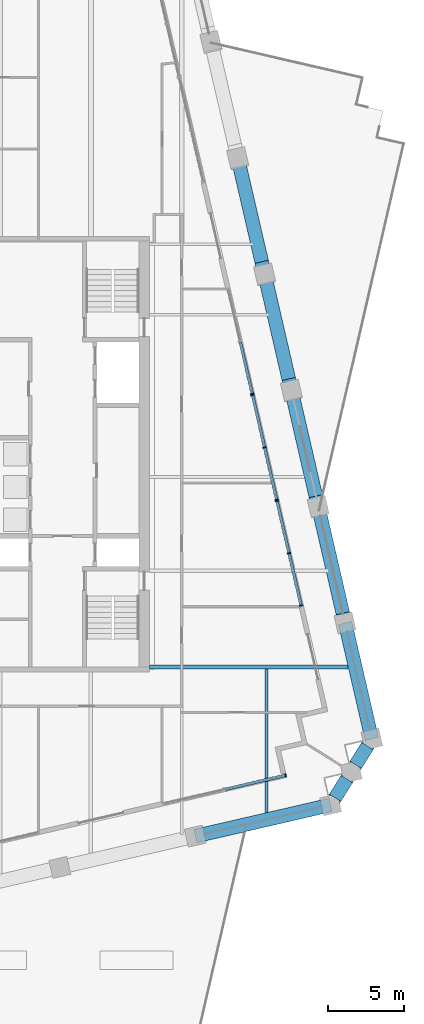
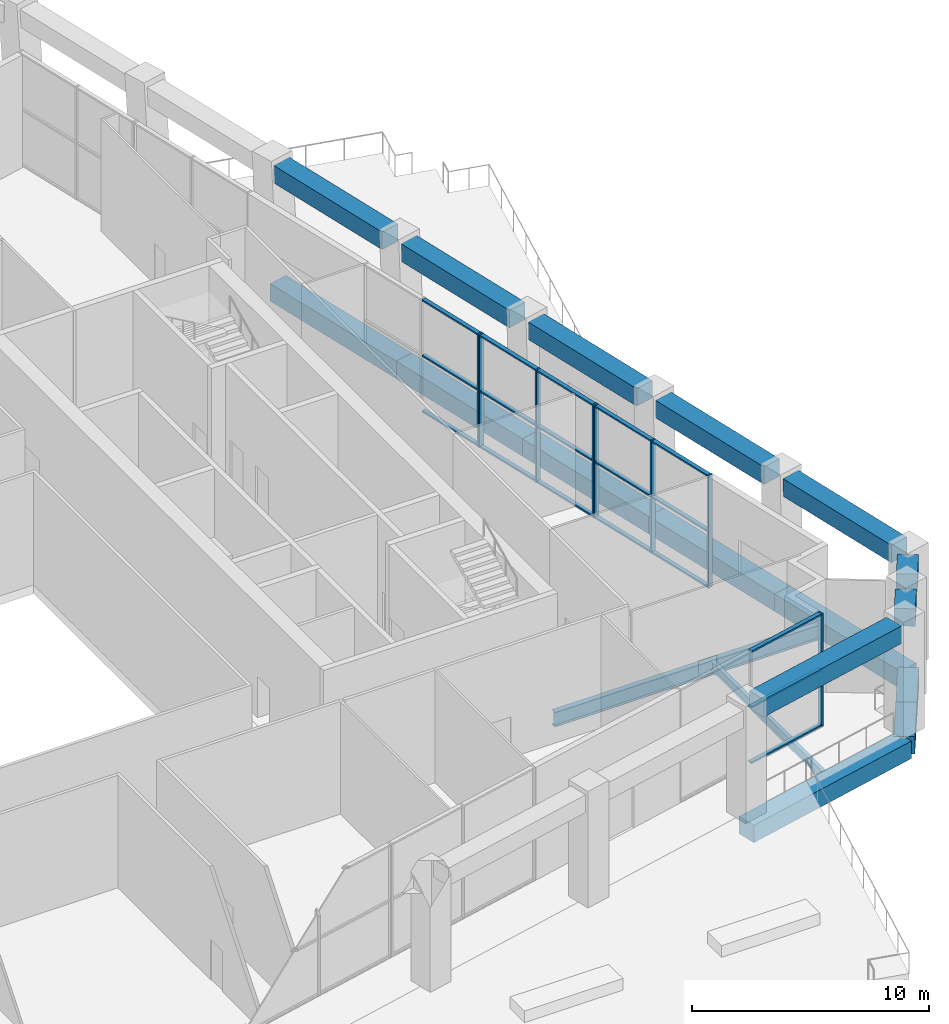
# One storey, part 7 of 24: 26 members, 18 beams, 4 elements without a shape of their own.
"""IFC4 building model written with IfcOpenShell, lengths in metres."""

from ifc_helpers import new_model, si_unit, direction, frame, origin, origin_2d, place, context, subcontext, project, spatial, rectangle, i_section, extrude, material, material_profile, profile_set, type_object, element, aggregate, save


model = new_model("IFC4")

# Units and contexts
model_context = context("Model", 3, precision=1e-05, world=origin(), true_north=direction((0.0, 1.0)))
body_context = subcontext(model_context, "Body", "Model", "MODEL_VIEW")
ifc_project = project(units=[si_unit("LENGTHUNIT", "METRE"), si_unit("AREAUNIT", "SQUARE_METRE"), si_unit("VOLUMEUNIT", "CUBIC_METRE"), si_unit("PLANEANGLEUNIT", "RADIAN"), si_unit("MASSUNIT", "GRAM", prefix="KILO")], contexts=[model_context])

# Site, building, storey
site_placement = place(None, origin())
site = spatial("IfcSite", under=ifc_project, at=site_placement, CompositionType="ELEMENT")
building_placement = place(site_placement, origin())
building = spatial("IfcBuilding", under=site, at=building_placement, Name="Ogive Exchange Tower", CompositionType="ELEMENT")
storey_placement = place(building_placement, frame((0.0, 0.0, 165.60009765625)))
storey = spatial("IfcBuildingStorey", under=building, at=storey_placement, Name="L36", CompositionType="ELEMENT", Elevation=165.60009765625)

# Beams
ifc_material_1 = material(Name="Steel ASTM A992 Gr50", Category="steel")
ifc_material_profile_1 = material_profile(ifc_material_1, i_section(OverallWidth=0.19091796875, OverallDepth=0.45703125, WebThickness=0.009033203125, FlangeThickness=0.014404296875, at=origin_2d()), Name="W460x74")
ifc_profile_set_1 = profile_set([ifc_material_profile_1], Name="Steel ASTM A992 Gr50")
beam_type_1 = type_object("IfcBeamType", Name="Floor beam W460x74", PredefinedType="JOIST", material=ifc_profile_set_1)
beam_1_placement = place(storey_placement, frame((29.35791015625, -11.97314453125, -0.6787109375), z_axis=(0.0, 1.0, 0.0), x_axis=(-1.0, 0.0, 0.0)))
element("IfcBeam", 1, at=beam_1_placement, inside=storey, type_object=beam_type_1, Name="Floor beam", PredefinedType="JOIST", context=body_context, shape_type="SweptSolid", body=[
    extrude(i_section(OverallWidth=0.19091796875, OverallDepth=0.45703125, WebThickness=0.009033203125, FlangeThickness=0.014404296875, at=origin_2d()), origin(), (0.0, 0.0, 1.0), 9.39453125),
])
ifc_material_profile_2 = material_profile(ifc_material_1, i_section(OverallWidth=0.26708984375, OverallDepth=0.75390625, WebThickness=0.01318359375, FlangeThickness=0.01708984375, at=origin_2d()), Name="W760x147")
ifc_profile_set_2 = profile_set([ifc_material_profile_2], Name="Steel ASTM A992 Gr50")
beam_type_2 = type_object("IfcBeamType", Name="Girder W760x147", PredefinedType="BEAM", material=ifc_profile_set_2)
beam_2_placement = place(storey_placement, frame((21.679931640625, -2.445068359375, -0.8271484375), z_axis=(1.0, 0.0, 0.0), x_axis=(0.0, 1.0, 0.0)))
element("IfcBeam", 2, at=beam_2_placement, inside=storey, type_object=beam_type_2, Name="Header girder", PredefinedType="BEAM", context=body_context, shape_type="SweptSolid", body=[
    extrude(i_section(OverallWidth=0.26708984375, OverallDepth=0.75390625, WebThickness=0.01318359375, FlangeThickness=0.01708984375, at=origin_2d()), origin(), (0.0, 0.0, 1.0), 13.021484375),
])
ifc_material_2 = material(Name="Precast concrete C70/85 (limestone faced)", Category="masonry")
ifc_material_profile_3 = material_profile(ifc_material_2, rectangle(XDim=0.89990234375, YDim=0.89990234375, at=origin_2d()), Name="900 x 900")
ifc_profile_set_3 = profile_set([ifc_material_profile_3], Name="Precast concrete C70/85 (limestone faced)")
beam_type_3 = type_object("IfcBeamType", Name="Precast spandrel 900 x 900 C70/85", PredefinedType="SPANDREL", material=ifc_profile_set_3)
beam_3_placement = place(storey_placement, frame((25.249755859375, -13.383544921875, 5.2998046875), z_axis=(0.974368388194, 0.224958316335, 0.0), x_axis=(-0.224958316335, 0.974368388194, 0.0)))
element("IfcBeam", 3, at=beam_3_placement, inside=storey, type_object=beam_type_3, Name="Spandrel 6", PredefinedType="SPANDREL", context=body_context, shape_type="SweptSolid", body=[
    extrude(rectangle(XDim=0.89990234375, YDim=0.89990234375, at=origin_2d()), origin(), (0.0, 0.0, 1.0), 7.93994140625),
])
for number, where, z_axis, x_axis, name in (
    (4, (33.842041015625, -11.001708984375, 5.2998046875), (0.529877740036, 0.848074041941, 0.0), (-0.848074041941, 0.529877740036, 0.0), "Spandrel 7"),
    (5, (35.19091796875, -8.843017578125, 5.2998046875), (0.529877740036, 0.848074041941, 0.0), (-0.848074041941, 0.529877740036, 0.0), "Spandrel 8"),
):
    element("IfcBeam", number, at=place(storey_placement, frame(where, z_axis=z_axis, x_axis=x_axis)), inside=storey, type_object=beam_type_3, Name=name, PredefinedType="SPANDREL", context=body_context, shape_type="SweptSolid", body=[
        extrude(rectangle(XDim=0.89990234375, YDim=0.89990234375, at=origin_2d()), origin(), (0.0, 0.0, 1.0), 1.448486328125),
    ])
for number, where, z_axis, x_axis, name in (
    (6, (36.11865234375, -6.584228515625, 5.2998046875), (-0.224933887862, 0.974374027821, 0.0), (-0.974374027821, -0.224933887862, 0.0), "Spandrel 9"),
    (7, (34.347900390625, 1.086181640625, 5.2998046875), (-0.224968420637, 0.974366055298, 0.0), (-0.974366055298, -0.224968420637, 0.0), "Spandrel 10"),
    (8, (32.5771484375, 8.75634765625, 5.2998046875), (-0.224968420637, 0.974366055298, 0.0), (-0.974366055298, -0.224968420637, 0.0), "Spandrel 11"),
    (9, (30.806396484375, 16.426513671875, 5.2998046875), (-0.224968420637, 0.974366055298, 0.0), (-0.974366055298, -0.224968420637, 0.0), "Spandrel 12"),
    (10, (29.035400390625, 24.096923828125, 5.2998046875), (-0.224933887862, 0.974374027821, 0.0), (-0.974374027821, -0.224933887862, 0.0), "Spandrel 13"),
):
    element("IfcBeam", number, at=place(storey_placement, frame(where, z_axis=z_axis, x_axis=x_axis)), inside=storey, type_object=beam_type_3, Name=name, PredefinedType="SPANDREL", context=body_context, shape_type="SweptSolid", body=[
        extrude(rectangle(XDim=0.89990234375, YDim=0.89990234375, at=origin_2d()), origin(), (0.0, 0.0, 1.0), 6.712158203125),
    ])
ifc_material_profile_4 = material_profile(ifc_material_2, rectangle(XDim=0.89990234375, YDim=0.89990234375, at=origin_2d()), Name="900 x 900")
ifc_profile_set_4 = profile_set([ifc_material_profile_4], Name="Precast concrete C70/85 (limestone faced)")
beam_type_4 = type_object("IfcBeamType", Name="Precast transfer girder 900 x 900 C70/85", PredefinedType="BEAM", material=ifc_profile_set_4)
beam_4_placement = place(storey_placement, frame((24.6845703125, -13.513916015625, -0.900146484375), z_axis=(0.974368129866, 0.224959435237, 0.0), x_axis=(-0.224959435237, 0.974368129866, 0.0)))
element("IfcBeam", 11, at=beam_4_placement, inside=storey, type_object=beam_type_4, Name="Transfer girder 6", PredefinedType="BEAM", context=body_context, shape_type="SweptSolid", body=[
    extrude(rectangle(XDim=0.89990234375, YDim=0.89990234375, at=origin_2d()), origin(), (0.0, 0.0, 1.0), 9.099853515625),
])
beam_5_placement = place(storey_placement, frame((33.55126953125, -11.466796875, -0.900146484375), z_axis=(0.529912724405, 0.848052182659, 0.0), x_axis=(-0.848052182659, 0.529912724405, 0.0)))
element("IfcBeam", 12, at=beam_5_placement, inside=storey, type_object=beam_type_4, Name="Transfer girder 7", PredefinedType="BEAM", context=body_context, shape_type="SweptSolid", body=[
    extrude(rectangle(XDim=0.89990234375, YDim=0.89990234375, at=origin_2d()), origin(), (0.0, 0.0, 1.0), 2.54541015625),
])
beam_6_placement = place(storey_placement, frame((34.900146484375, -9.30810546875, -0.900146484375), z_axis=(0.529981698198, 0.848009079889, 0.0), x_axis=(-0.848009079889, 0.529981698198, 0.0)))
element("IfcBeam", 13, at=beam_6_placement, inside=storey, type_object=beam_type_4, Name="Transfer girder 8", PredefinedType="BEAM", context=body_context, shape_type="SweptSolid", body=[
    extrude(rectangle(XDim=0.89990234375, YDim=0.89990234375, at=origin_2d()), origin(), (0.0, 0.0, 1.0), 2.545654296875),
])
for number, where, z_axis, x_axis, name in (
    (14, (36.249267578125, -7.1494140625, -0.900146484375), (-0.22495322987, 0.974369562523, 0.0), (-0.974369562523, -0.22495322987, 0.0), "Transfer girder 9"),
    (15, (34.49462890625, 0.45068359375, -0.900146484375), (-0.22495322987, 0.974369562523, 0.0), (-0.974369562523, -0.22495322987, 0.0), "Transfer girder 10"),
    (16, (32.739990234375, 8.05078125, -0.900146484375), (-0.22495322987, 0.974369562523, 0.0), (-0.974369562523, -0.22495322987, 0.0), "Transfer girder 11"),
    (17, (30.9853515625, 15.65087890625, -0.900146484375), (-0.22495322987, 0.974369562523, 0.0), (-0.974369562523, -0.22495322987, 0.0), "Transfer girder 12"),
    (18, (29.230712890625, 23.2509765625, -0.900146484375), (-0.22495322987, 0.974369562523, 0.0), (-0.974369562523, -0.22495322987, 0.0), "Transfer girder 13"),
):
    element("IfcBeam", number, at=place(storey_placement, frame(where, z_axis=z_axis, x_axis=x_axis)), inside=storey, type_object=beam_type_4, Name=name, PredefinedType="BEAM", context=body_context, shape_type="SweptSolid", body=[
        extrude(rectangle(XDim=0.89990234375, YDim=0.89990234375, at=origin_2d()), origin(), (0.0, 0.0, 1.0), 7.800048828125),
    ])

# Curtain wall, member
ifc_material_3 = material(Name="Anodised aluminium and clear glass", Category="aluminium")
curtain_wall_type = type_object("IfcCurtainWallType", Name="Winter garden glazing", PredefinedType="NOTDEFINED", material=ifc_material_3)
curtain_wall_1_placement = place(storey_placement, origin())
curtain_wall_1 = element("IfcCurtainWall", 19, at=curtain_wall_1_placement, inside=storey, type_object=curtain_wall_type, Name="Winter garden glazing run G6", PredefinedType="NOTDEFINED")
ifc_material_4 = material(Name="Anodised aluminium", Category="aluminium")
ifc_material_profile_5 = material_profile(ifc_material_4, rectangle(XDim=0.239990234375, YDim=0.080078125, at=origin_2d()), Name="AL 80x240")
ifc_profile_set_5 = profile_set([ifc_material_profile_5], Name="Anodised aluminium")
member_type_1 = type_object("IfcMemberType", Name="Winter garden glazing mullion 80 x 240", PredefinedType="MULLION", material=ifc_profile_set_5)
member_1_placement = place(storey_placement, frame((30.600341796875, -9.531005859375, 0.0), z_axis=(0.0, 0.0, 1.0), x_axis=(-0.224951017509, 0.974370073289, 0.0)))
member_1 = element("IfcMember", 20, at=member_1_placement, type_object=member_type_1, Name="G6 mullion 3", PredefinedType="MULLION", context=body_context, shape_type="SweptSolid", body=[
    extrude(rectangle(XDim=0.239990234375, YDim=0.080078125, at=origin_2d()), origin(), (0.0, 0.0, 1.0), 5.7998046875),
])

# Curtain wall, members
curtain_wall_2_placement = place(storey_placement, origin())
curtain_wall_2 = element("IfcCurtainWall", 21, at=curtain_wall_2_placement, inside=storey, type_object=curtain_wall_type, Name="Winter garden glazing run G8", PredefinedType="NOTDEFINED")
member_2_placement = place(storey_placement, frame((31.615234375, 1.58642578125, 0.0), z_axis=(0.0, 0.0, 1.0), x_axis=(-0.974368684938, -0.224957031035, 0.0)))
member_2 = element("IfcMember", 22, at=member_2_placement, type_object=member_type_1, Name="G8 mullion 1", PredefinedType="MULLION", context=body_context, shape_type="SweptSolid", body=[
    extrude(rectangle(XDim=0.239990234375, YDim=0.080078125, at=origin_2d()), origin(), (0.0, 0.0, 1.0), 5.7998046875),
])
member_3_placement = place(storey_placement, frame((30.82421875, 5.013427734375, 0.0), z_axis=(0.0, 0.0, 1.0), x_axis=(-0.974368684938, -0.224957031035, 0.0)))
member_3 = element("IfcMember", 23, at=member_3_placement, type_object=member_type_1, Name="G8 mullion 2", PredefinedType="MULLION", context=body_context, shape_type="SweptSolid", body=[
    extrude(rectangle(XDim=0.239990234375, YDim=0.080078125, at=origin_2d()), origin(), (0.0, 0.0, 1.0), 5.7998046875),
])
member_4_placement = place(storey_placement, frame((30.032958984375, 8.4404296875, 0.0), z_axis=(0.0, 0.0, 1.0), x_axis=(-0.974368684938, -0.224957031035, 0.0)))
member_4 = element("IfcMember", 24, at=member_4_placement, type_object=member_type_1, Name="G8 mullion 3", PredefinedType="MULLION", context=body_context, shape_type="SweptSolid", body=[
    extrude(rectangle(XDim=0.239990234375, YDim=0.080078125, at=origin_2d()), origin(), (0.0, 0.0, 1.0), 5.7998046875),
])

curtain_wall_3_placement = place(storey_placement, origin())
curtain_wall_3 = element("IfcCurtainWall", 25, at=curtain_wall_3_placement, inside=storey, type_object=curtain_wall_type, Name="Winter garden glazing run G9", PredefinedType="NOTDEFINED")
member_5_placement = place(storey_placement, frame((30.014892578125, 8.518310546875, 0.0), z_axis=(0.0, 0.0, 1.0), x_axis=(-0.974372477105, -0.224940605185, 0.0)))
member_5 = element("IfcMember", 26, at=member_5_placement, type_object=member_type_1, Name="G9 mullion 1", PredefinedType="MULLION", context=body_context, shape_type="SweptSolid", body=[
    extrude(rectangle(XDim=0.239990234375, YDim=0.080078125, at=origin_2d()), origin(), (0.0, 0.0, 1.0), 5.7998046875),
])
member_6_placement = place(storey_placement, frame((29.2236328125, 11.9453125, 0.0), z_axis=(0.0, 0.0, 1.0), x_axis=(-0.974372477105, -0.224940605185, 0.0)))
member_6 = element("IfcMember", 27, at=member_6_placement, type_object=member_type_1, Name="G9 mullion 2", PredefinedType="MULLION", context=body_context, shape_type="SweptSolid", body=[
    extrude(rectangle(XDim=0.239990234375, YDim=0.080078125, at=origin_2d()), origin(), (0.0, 0.0, 1.0), 5.7998046875),
])
member_7_placement = place(storey_placement, frame((28.4326171875, 15.372314453125, 0.0), z_axis=(0.0, 0.0, 1.0), x_axis=(-0.974372477105, -0.224940605185, 0.0)))
member_7 = element("IfcMember", 28, at=member_7_placement, type_object=member_type_1, Name="G9 mullion 3", PredefinedType="MULLION", context=body_context, shape_type="SweptSolid", body=[
    extrude(rectangle(XDim=0.239990234375, YDim=0.080078125, at=origin_2d()), origin(), (0.0, 0.0, 1.0), 5.7998046875),
])

# Curtain wall, member
curtain_wall_4_placement = place(storey_placement, origin())
curtain_wall_4 = element("IfcCurtainWall", 29, at=curtain_wall_4_placement, inside=storey, type_object=curtain_wall_type, Name="Winter garden glazing run G10", PredefinedType="NOTDEFINED")
member_8_placement = place(storey_placement, frame((28.41455078125, 15.450439453125, 0.0), z_axis=(0.0, 0.0, 1.0), x_axis=(-0.974368684938, -0.224957031035, 0.0)))
member_8 = element("IfcMember", 30, at=member_8_placement, type_object=member_type_1, Name="G10 mullion 1", PredefinedType="MULLION", context=body_context, shape_type="SweptSolid", body=[
    extrude(rectangle(XDim=0.239990234375, YDim=0.080078125, at=origin_2d()), origin(), (0.0, 0.0, 1.0), 5.7998046875),
])

# Member
ifc_material_profile_6 = material_profile(ifc_material_4, rectangle(XDim=0.199951171875, YDim=0.080078125, at=origin_2d()), Name="AL 80x200")
ifc_profile_set_6 = profile_set([ifc_material_profile_6], Name="Anodised aluminium")
member_type_2 = type_object("IfcMemberType", Name="Winter garden glazing transom 80 x 200", PredefinedType="USERDEFINED", material=ifc_profile_set_6)
member_9_placement = place(storey_placement, frame((26.634521484375, -10.446533203125, 0.039794921875), z_axis=(0.97437383551, 0.224934720918, 0.0), x_axis=(-0.224934720918, 0.97437383551, 0.0)))
member_9 = element("IfcMember", 31, at=member_9_placement, type_object=member_type_2, Name="G6 transom 2.1", ObjectType="TRANSOM", PredefinedType="USERDEFINED", context=body_context, shape_type="SweptSolid", body=[
    extrude(rectangle(XDim=0.199951171875, YDim=0.080078125, at=origin_2d()), origin(), (0.0, 0.0, 1.0), 4.030029296875),
])

member_10_placement = place(storey_placement, frame((26.634521484375, -10.446533203125, 2.89990234375), z_axis=(0.97437383551, 0.224934720918, 0.0), x_axis=(-0.224934720918, 0.97437383551, 0.0)))
member_10 = element("IfcMember", 32, at=member_10_placement, type_object=member_type_2, Name="G6 transom 2.2", ObjectType="TRANSOM", PredefinedType="USERDEFINED", context=body_context, shape_type="SweptSolid", body=[
    extrude(rectangle(XDim=0.199951171875, YDim=0.080078125, at=origin_2d()), origin(), (0.0, 0.0, 1.0), 4.030029296875),
])

member_11_placement = place(storey_placement, frame((26.634521484375, -10.446533203125, 5.760009765625), z_axis=(0.97437383551, 0.224934720918, 0.0), x_axis=(-0.224934720918, 0.97437383551, 0.0)))
member_11 = element("IfcMember", 33, at=member_11_placement, type_object=member_type_2, Name="G6 transom 2.3", ObjectType="TRANSOM", PredefinedType="USERDEFINED", context=body_context, shape_type="SweptSolid", body=[
    extrude(rectangle(XDim=0.199951171875, YDim=0.080078125, at=origin_2d()), origin(), (0.0, 0.0, 1.0), 4.030029296875),
])

aggregate(curtain_wall_1, [member_1, member_9, member_10, member_11])

member_12_placement = place(storey_placement, frame((31.606201171875, 1.62548828125, 0.039794921875), z_axis=(-0.224963262299, 0.974367246276, 0.0), x_axis=(-0.974367246276, -0.224963262299, 0.0)))
member_12 = element("IfcMember", 34, at=member_12_placement, type_object=member_type_2, Name="G8 transom 1.1", ObjectType="TRANSOM", PredefinedType="USERDEFINED", context=body_context, shape_type="SweptSolid", body=[
    extrude(rectangle(XDim=0.199951171875, YDim=0.080078125, at=origin_2d()), origin(), (0.0, 0.0, 1.0), 3.43701171875),
])

member_13_placement = place(storey_placement, frame((31.606201171875, 1.62548828125, 2.89990234375), z_axis=(-0.224963262299, 0.974367246276, 0.0), x_axis=(-0.974367246276, -0.224963262299, 0.0)))
member_13 = element("IfcMember", 35, at=member_13_placement, type_object=member_type_2, Name="G8 transom 1.2", ObjectType="TRANSOM", PredefinedType="USERDEFINED", context=body_context, shape_type="SweptSolid", body=[
    extrude(rectangle(XDim=0.199951171875, YDim=0.080078125, at=origin_2d()), origin(), (0.0, 0.0, 1.0), 3.43701171875),
])

member_14_placement = place(storey_placement, frame((31.606201171875, 1.62548828125, 5.760009765625), z_axis=(-0.224963262299, 0.974367246276, 0.0), x_axis=(-0.974367246276, -0.224963262299, 0.0)))
member_14 = element("IfcMember", 36, at=member_14_placement, type_object=member_type_2, Name="G8 transom 1.3", ObjectType="TRANSOM", PredefinedType="USERDEFINED", context=body_context, shape_type="SweptSolid", body=[
    extrude(rectangle(XDim=0.199951171875, YDim=0.080078125, at=origin_2d()), origin(), (0.0, 0.0, 1.0), 3.43701171875),
])

member_15_placement = place(storey_placement, frame((30.815185546875, 5.052490234375, 0.039794921875), z_axis=(-0.224963262299, 0.974367246276, 0.0), x_axis=(-0.974367246276, -0.224963262299, 0.0)))
member_15 = element("IfcMember", 37, at=member_15_placement, type_object=member_type_2, Name="G8 transom 2.1", ObjectType="TRANSOM", PredefinedType="USERDEFINED", context=body_context, shape_type="SweptSolid", body=[
    extrude(rectangle(XDim=0.199951171875, YDim=0.080078125, at=origin_2d()), origin(), (0.0, 0.0, 1.0), 3.43701171875),
])

member_16_placement = place(storey_placement, frame((30.815185546875, 5.052490234375, 2.89990234375), z_axis=(-0.224963262299, 0.974367246276, 0.0), x_axis=(-0.974367246276, -0.224963262299, 0.0)))
member_16 = element("IfcMember", 38, at=member_16_placement, type_object=member_type_2, Name="G8 transom 2.2", ObjectType="TRANSOM", PredefinedType="USERDEFINED", context=body_context, shape_type="SweptSolid", body=[
    extrude(rectangle(XDim=0.199951171875, YDim=0.080078125, at=origin_2d()), origin(), (0.0, 0.0, 1.0), 3.43701171875),
])

member_17_placement = place(storey_placement, frame((30.815185546875, 5.052490234375, 5.760009765625), z_axis=(-0.224963262299, 0.974367246276, 0.0), x_axis=(-0.974367246276, -0.224963262299, 0.0)))
member_17 = element("IfcMember", 39, at=member_17_placement, type_object=member_type_2, Name="G8 transom 2.3", ObjectType="TRANSOM", PredefinedType="USERDEFINED", context=body_context, shape_type="SweptSolid", body=[
    extrude(rectangle(XDim=0.199951171875, YDim=0.080078125, at=origin_2d()), origin(), (0.0, 0.0, 1.0), 3.43701171875),
])

aggregate(curtain_wall_2, [member_2, member_3, member_4, member_12, member_13, member_14, member_15, member_16, member_17])

member_18_placement = place(storey_placement, frame((30.005859375, 8.557373046875, 0.039794921875), z_axis=(-0.224947693018, 0.974370840802, 0.0), x_axis=(-0.974370840802, -0.224947693018, 0.0)))
member_18 = element("IfcMember", 40, at=member_18_placement, type_object=member_type_2, Name="G9 transom 1.1", ObjectType="TRANSOM", PredefinedType="USERDEFINED", context=body_context, shape_type="SweptSolid", body=[
    extrude(rectangle(XDim=0.199951171875, YDim=0.080078125, at=origin_2d()), origin(), (0.0, 0.0, 1.0), 3.437255859375),
])

member_19_placement = place(storey_placement, frame((30.005859375, 8.557373046875, 2.89990234375), z_axis=(-0.224947693018, 0.974370840802, 0.0), x_axis=(-0.974370840802, -0.224947693018, 0.0)))
member_19 = element("IfcMember", 41, at=member_19_placement, type_object=member_type_2, Name="G9 transom 1.2", ObjectType="TRANSOM", PredefinedType="USERDEFINED", context=body_context, shape_type="SweptSolid", body=[
    extrude(rectangle(XDim=0.199951171875, YDim=0.080078125, at=origin_2d()), origin(), (0.0, 0.0, 1.0), 3.437255859375),
])

member_20_placement = place(storey_placement, frame((30.005859375, 8.557373046875, 5.760009765625), z_axis=(-0.224947693018, 0.974370840802, 0.0), x_axis=(-0.974370840802, -0.224947693018, 0.0)))
member_20 = element("IfcMember", 42, at=member_20_placement, type_object=member_type_2, Name="G9 transom 1.3", ObjectType="TRANSOM", PredefinedType="USERDEFINED", context=body_context, shape_type="SweptSolid", body=[
    extrude(rectangle(XDim=0.199951171875, YDim=0.080078125, at=origin_2d()), origin(), (0.0, 0.0, 1.0), 3.437255859375),
])

member_21_placement = place(storey_placement, frame((29.21484375, 11.984375, 0.039794921875), z_axis=(-0.224947693018, 0.974370840802, 0.0), x_axis=(-0.974370840802, -0.224947693018, 0.0)))
member_21 = element("IfcMember", 43, at=member_21_placement, type_object=member_type_2, Name="G9 transom 2.1", ObjectType="TRANSOM", PredefinedType="USERDEFINED", context=body_context, shape_type="SweptSolid", body=[
    extrude(rectangle(XDim=0.199951171875, YDim=0.080078125, at=origin_2d()), origin(), (0.0, 0.0, 1.0), 3.437255859375),
])

member_22_placement = place(storey_placement, frame((29.21484375, 11.984375, 2.89990234375), z_axis=(-0.224947693018, 0.974370840802, 0.0), x_axis=(-0.974370840802, -0.224947693018, 0.0)))
member_22 = element("IfcMember", 44, at=member_22_placement, type_object=member_type_2, Name="G9 transom 2.2", ObjectType="TRANSOM", PredefinedType="USERDEFINED", context=body_context, shape_type="SweptSolid", body=[
    extrude(rectangle(XDim=0.199951171875, YDim=0.080078125, at=origin_2d()), origin(), (0.0, 0.0, 1.0), 3.437255859375),
])

member_23_placement = place(storey_placement, frame((29.21484375, 11.984375, 5.760009765625), z_axis=(-0.224947693018, 0.974370840802, 0.0), x_axis=(-0.974370840802, -0.224947693018, 0.0)))
member_23 = element("IfcMember", 45, at=member_23_placement, type_object=member_type_2, Name="G9 transom 2.3", ObjectType="TRANSOM", PredefinedType="USERDEFINED", context=body_context, shape_type="SweptSolid", body=[
    extrude(rectangle(XDim=0.199951171875, YDim=0.080078125, at=origin_2d()), origin(), (0.0, 0.0, 1.0), 3.437255859375),
])

aggregate(curtain_wall_3, [member_5, member_6, member_7, member_18, member_19, member_20, member_21, member_22, member_23])

member_24_placement = place(storey_placement, frame((28.405517578125, 15.4892578125, 0.039794921875), z_axis=(-0.224947693018, 0.974370840802, 0.0), x_axis=(-0.974370840802, -0.224947693018, 0.0)))
member_24 = element("IfcMember", 46, at=member_24_placement, type_object=member_type_2, Name="G10 transom 1.1", ObjectType="TRANSOM", PredefinedType="USERDEFINED", context=body_context, shape_type="SweptSolid", body=[
    extrude(rectangle(XDim=0.199951171875, YDim=0.080078125, at=origin_2d()), origin(), (0.0, 0.0, 1.0), 3.437255859375),
])

member_25_placement = place(storey_placement, frame((28.405517578125, 15.4892578125, 2.89990234375), z_axis=(-0.224947693018, 0.974370840802, 0.0), x_axis=(-0.974370840802, -0.224947693018, 0.0)))
member_25 = element("IfcMember", 47, at=member_25_placement, type_object=member_type_2, Name="G10 transom 1.2", ObjectType="TRANSOM", PredefinedType="USERDEFINED", context=body_context, shape_type="SweptSolid", body=[
    extrude(rectangle(XDim=0.199951171875, YDim=0.080078125, at=origin_2d()), origin(), (0.0, 0.0, 1.0), 3.437255859375),
])

member_26_placement = place(storey_placement, frame((28.405517578125, 15.4892578125, 5.760009765625), z_axis=(-0.224947693018, 0.974370840802, 0.0), x_axis=(-0.974370840802, -0.224947693018, 0.0)))
member_26 = element("IfcMember", 48, at=member_26_placement, type_object=member_type_2, Name="G10 transom 1.3", ObjectType="TRANSOM", PredefinedType="USERDEFINED", context=body_context, shape_type="SweptSolid", body=[
    extrude(rectangle(XDim=0.199951171875, YDim=0.080078125, at=origin_2d()), origin(), (0.0, 0.0, 1.0), 3.437255859375),
])

aggregate(curtain_wall_4, [member_8, member_24, member_25, member_26])

save(model, "model.ifc")
